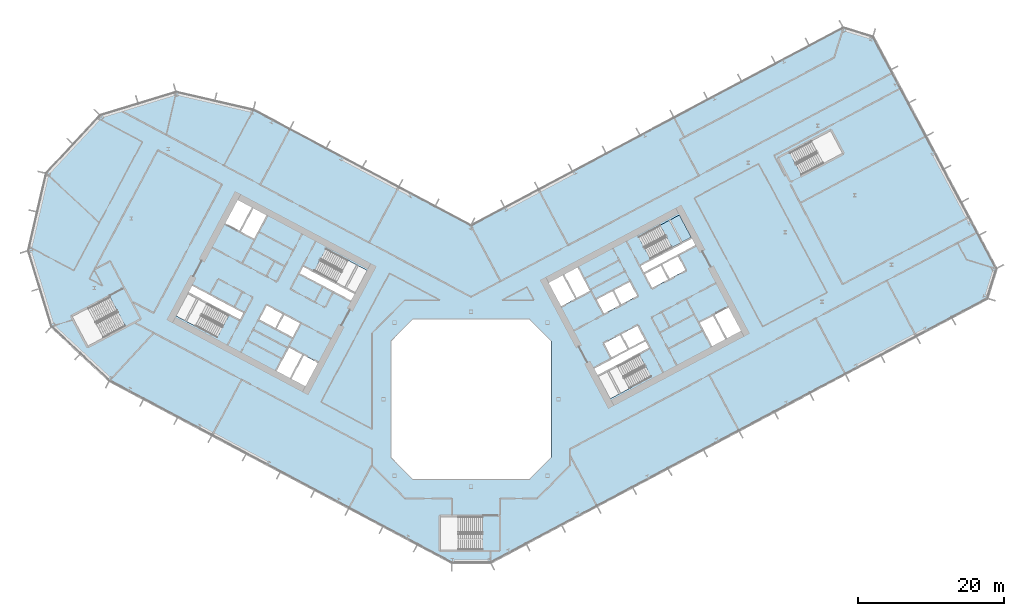
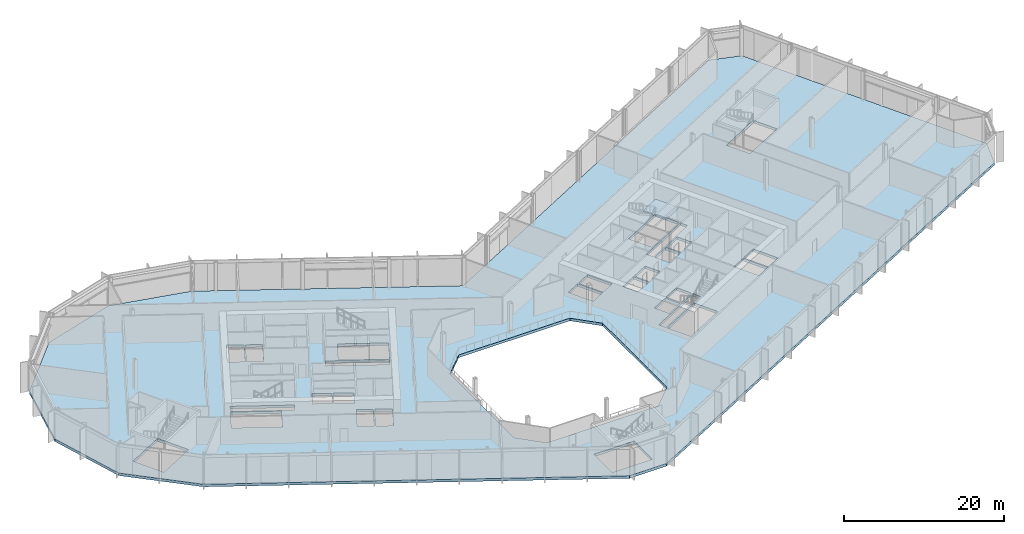
# One storey, part 11 of 32: 2 slabs, 1 element without a shape of its own.
"""IFC4 building model written with IfcOpenShell, lengths in metres."""

from ifc_helpers import new_model, si_unit, direction, frame, origin, place, context, subcontext, project, spatial, polyline, outline, extrude, material, layer, layer_set, type_object, element, aggregate, save


model = new_model("IFC4")

# Units and contexts
model_context = context("Model", 3, precision=1e-05, world=origin(), true_north=direction((0.0, 1.0)))
body_context = subcontext(model_context, "Body", "Model", "MODEL_VIEW")
ifc_project = project(units=[si_unit("LENGTHUNIT", "METRE"), si_unit("AREAUNIT", "SQUARE_METRE"), si_unit("VOLUMEUNIT", "CUBIC_METRE"), si_unit("PLANEANGLEUNIT", "RADIAN"), si_unit("MASSUNIT", "GRAM", prefix="KILO")], contexts=[model_context])

# Site, building, storey
site_placement = place(None, origin())
site = spatial("IfcSite", under=ifc_project, at=site_placement, CompositionType="ELEMENT")
building_placement = place(site_placement, origin())
building = spatial("IfcBuilding", under=site, at=building_placement, Name="Cormorant Relay Tower", CompositionType="ELEMENT")
storey_placement = place(building_placement, frame((0.0, 0.0, 70.800048828125)))
storey = spatial("IfcBuildingStorey", under=building, at=storey_placement, Name="L13", CompositionType="ELEMENT", Elevation=70.800048828125)

# Stair, slab
ifc_material_1 = material(Name="Concrete 40 MPa", Category="concrete")
stair_type = type_object("IfcStairType", Name="Exit stair 1500", PredefinedType="HALF_TURN_STAIR", material=ifc_material_1)
stair_placement = place(storey_placement, origin())
stair = element("IfcStair", 1, at=stair_placement, inside=storey, type_object=stair_type, Name="L13 Stair", PredefinedType="HALF_TURN_STAIR")
ifc_material_2 = material(Name="Concrete 40 MPa", Category="concrete")
ifc_layer_1 = layer(ifc_material_2, 0.199951171875)
ifc_layer_set_1 = layer_set([ifc_layer_1], Name="Exit stair landing 200")
slab_type_1 = type_object("IfcSlabType", Name="Exit stair landing 200", PredefinedType="LANDING", material=ifc_layer_set_1)
slab_1_placement = place(storey_placement, frame((0.0, 0.0, 2.099853515625)))
slab_1 = element("IfcSlab", 2, at=slab_1_placement, type_object=slab_type_1, Name="B2 landing 1", PredefinedType="LANDING", context=body_context, shape_type="SweptSolid", body=[
    extrude(outline(polyline([(27.558837890625, 20.82568359375), (30.19873046875, 22.2294921875), (28.5791015625, 25.275634765625), (25.93896484375, 23.871826171875), (27.558837890625, 20.82568359375)])), origin(), (0.0, 0.0, 1.0), 0.2001953125),
])
aggregate(stair, [slab_1])

# Slab
ifc_material_3 = material(Name="Concrete 40 MPa", Category="concrete")
ifc_layer_2 = layer(ifc_material_3, 0.39990234375)
ifc_layer_set_2 = layer_set([ifc_layer_2], Name="Flat plate 400")
slab_type_2 = type_object("IfcSlabType", Name="Flat plate 400", PredefinedType="FLOOR", material=ifc_layer_set_2)
slab_2_placement = place(storey_placement, frame((0.0, 0.0, -0.400146484375)))
element("IfcSlab", 3, at=slab_2_placement, inside=storey, type_object=slab_type_2, Name="Floor slab L13", PredefinedType="FLOOR", context=body_context, shape_type="SweptSolid", body=[
    extrude(outline(polyline([(-60.7197265625, 20.393310546875), (-58.2744140625, 30.985107421875), (-50.86083984375, 38.935302734375), (-40.465576171875, 42.11328125), (-29.873779296875, 39.668212890625), (0.0, 23.783935546875), (51.064453125, 50.935302734375), (55.12158203125, 49.695068359375), (72.022705078125, 17.908935546875), (70.7822265625, 13.8515625), (2.648681640625, -22.37548828125), (-2.648681640625, -22.37548828125), (-49.591552734375, 2.584228515625), (-57.541748046875, 9.997802734375), (-60.7197265625, 20.393310546875)]), holes=[polyline([(11.0, -8.0), (11.0, 8.0), (8.0, 11.0), (-8.0, 11.0), (-11.0, 8.0), (-11.0, -8.0), (-8.0, -11.0), (8.0, -11.0), (11.0, -8.0)]), polyline([(-4.199951171875, -16.125), (-4.199951171875, -20.675048828125), (1.60009765625, -20.675048828125), (1.60009765625, -16.125), (-4.199951171875, -16.125)]), polyline([(-22.95458984375, 6.03271484375), (-24.668212890625, 2.81005859375), (-22.725830078125, 1.777099609375), (-21.01220703125, 5.0), (-23.04296875, 6.07958984375), (-22.95458984375, 6.03271484375)]), polyline([(-24.985595703125, 7.112548828125), (-26.69921875, 3.889892578125), (-24.844970703125, 2.90380859375), (-23.13134765625, 6.126708984375), (-23.04296875, 6.07958984375), (-24.985595703125, 7.112548828125)]), polyline([(-26.688720703125, 9.660400390625), (-24.481201171875, 8.48681640625), (-23.448486328125, 10.42919921875), (-25.656005859375, 11.602783203125), (-26.688720703125, 9.660400390625)]), polyline([(-49.57861328125, 14.0537109375), (-54.69970703125, 11.330810546875), (-52.563720703125, 7.3134765625), (-47.442626953125, 10.036376953125), (-49.57861328125, 14.0537109375)]), polyline([(-28.039794921875, 12.870361328125), (-29.07275390625, 10.927978515625), (-26.865234375, 9.75439453125), (-25.83251953125, 11.69677734375), (-28.039794921875, 12.870361328125)]), polyline([(-38.847900390625, 14.483154296875), (-40.46728515625, 11.43701171875), (-34.860595703125, 8.455810546875), (-33.240966796875, 11.502197265625), (-38.847900390625, 14.483154296875)]), polyline([(-38.260986328125, 15.5869140625), (-38.75390625, 14.659912109375), (-31.690185546875, 10.904052734375), (-31.197265625, 11.8310546875), (-38.260986328125, 15.5869140625)]), polyline([(14.3056640625, 13.779052734375), (12.592041015625, 17.001708984375), (10.649658203125, 15.968994140625), (12.36328125, 12.74609375), (14.39404296875, 13.825927734375), (14.3056640625, 13.779052734375)]), polyline([(16.33642578125, 14.85888671875), (14.622802734375, 18.08154296875), (12.768798828125, 17.095703125), (14.482421875, 13.872802734375), (14.39404296875, 13.825927734375), (16.33642578125, 14.85888671875)]), polyline([(-16.481689453125, 13.520263671875), (-15.989013671875, 14.447509765625), (-23.052490234375, 18.203125), (-23.54541015625, 17.276123046875), (-16.481689453125, 13.520263671875)]), polyline([(-21.501708984375, 17.605224609375), (-15.89501953125, 14.6240234375), (-14.275390625, 17.670166015625), (-19.882080078125, 20.6513671875), (-21.501708984375, 17.605224609375)]), polyline([(-31.611572265625, 22.980712890625), (-29.75732421875, 21.99462890625), (-28.043701171875, 25.217529296875), (-29.89794921875, 26.203369140625), (-31.611572265625, 22.980712890625)]), polyline([(-33.73046875, 24.107421875), (-31.7880859375, 23.074462890625), (-30.074462890625, 26.29736328125), (-32.01708984375, 27.330078125), (-33.73046875, 24.107421875)]), polyline([(23.087158203125, 6.10302734375), (17.48046875, 3.1220703125), (19.10009765625, 0.07568359375), (24.706787109375, 3.056884765625), (23.087158203125, 6.10302734375)]), polyline([(16.8935546875, 4.2255859375), (17.386474609375, 3.298583984375), (24.4501953125, 7.054443359375), (23.957275390625, 7.9814453125), (16.8935546875, 4.2255859375)]), polyline([(20.446533203125, 8.8330078125), (18.239013671875, 7.6591796875), (19.27197265625, 5.716796875), (21.479248046875, 6.890380859375), (20.446533203125, 8.8330078125)]), polyline([(22.830322265625, 10.1005859375), (20.623046875, 8.927001953125), (21.656005859375, 6.984375), (23.86328125, 8.158203125), (22.830322265625, 10.1005859375)]), polyline([(33.197021484375, 11.478515625), (31.3427734375, 10.49267578125), (33.056396484375, 7.27001953125), (34.910400390625, 8.255859375), (33.197021484375, 11.478515625)]), polyline([(33.37353515625, 11.572509765625), (35.087158203125, 8.349609375), (37.029541015625, 9.382568359375), (35.31591796875, 12.605224609375), (33.37353515625, 11.572509765625)]), polyline([(19.401123046875, 14.84619140625), (17.19384765625, 13.67236328125), (18.2265625, 11.72998046875), (20.43408203125, 12.903564453125), (19.401123046875, 14.84619140625)]), polyline([(22.81787109375, 14.171142578125), (21.78515625, 16.113525390625), (19.57763671875, 14.93994140625), (20.610595703125, 12.99755859375), (22.81787109375, 14.171142578125)]), polyline([(26.023193359375, 18.3671875), (23.81591796875, 17.193359375), (24.8486328125, 15.2509765625), (27.05615234375, 16.424560546875), (26.023193359375, 18.3671875)]), polyline([(29.440185546875, 17.692138671875), (28.4072265625, 19.634765625), (26.19970703125, 18.4609375), (27.232666015625, 16.5185546875), (29.440185546875, 17.692138671875)]), polyline([(30.78564453125, 21.125732421875), (30.29248046875, 22.052978515625), (23.22900390625, 18.297119140625), (23.721923828125, 17.3701171875), (30.78564453125, 21.125732421875)]), polyline([(24.592041015625, 19.248291015625), (30.19873046875, 22.2294921875), (28.5791015625, 25.275634765625), (22.972412109375, 22.29443359375), (24.592041015625, 19.248291015625)]), polyline([(45.3349609375, 30.773681640625), (50.941650390625, 33.7548828125), (49.322021484375, 36.801025390625), (43.715087890625, 33.81982421875), (45.3349609375, 30.773681640625)])]), origin(), (0.0, 0.0, 1.0), 0.400146484375),
])

save(model, "model.ifc")
